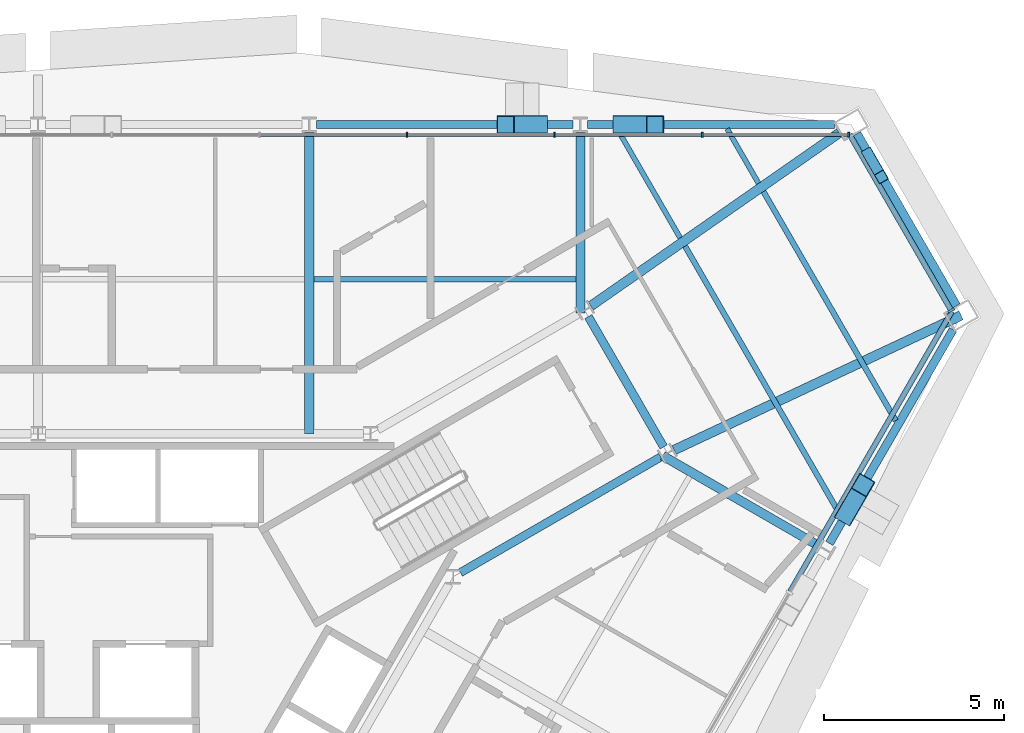
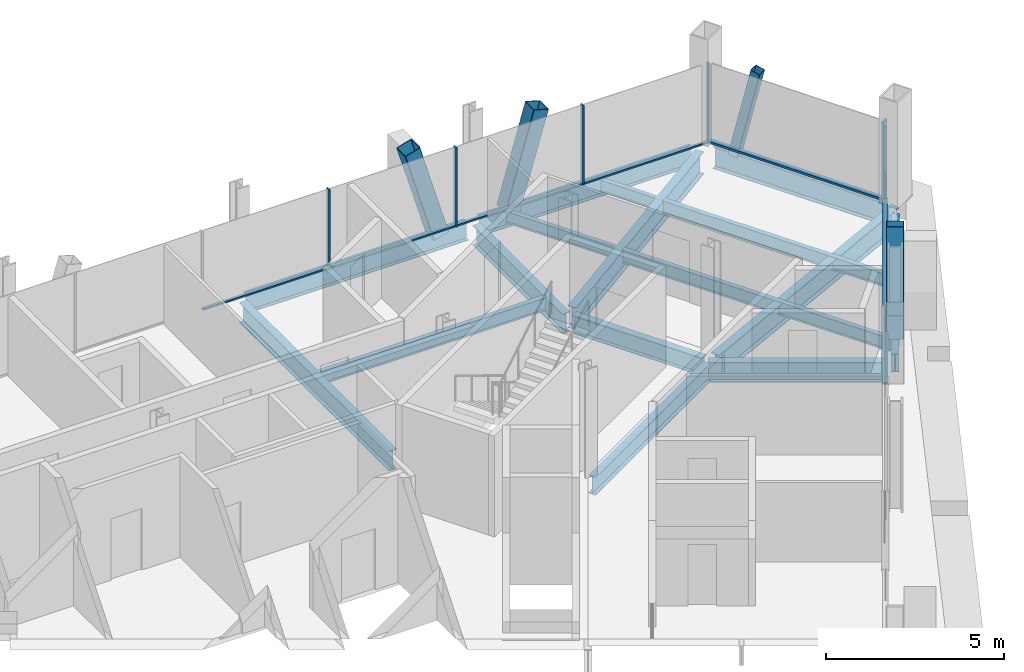
# One storey, part 7 of 13: 16 beams, 15 members, 3 elements without a shape of their own.
"""IFC4 building model written with IfcOpenShell, lengths in metres."""

import ifcopenshell
import ifcopenshell.guid

model = None  # the IFC model being written
_history = None  # IfcOwnerHistory: only IFC2X3 demands one
_inside = {}  # id of a spatial element -> (the spatial element, [elements in it])
_under = {}  # id of a project, library or spatial element -> (it, [spatial elements below it])
_declared = {}  # id of a project -> (the project, [libraries it declares])
_typed = {}  # id of a type object -> (the type object, [elements of that type])
_made_of = {}  # id of a material, layer set ... -> (it, [elements and type objects made of it])


def new_model(schema):
    """Start an empty IFC model of exactly this schema.

    Asked for "IFC4X3", IfcOpenShell would pick the latest addendum, in which some entities
    have other attributes; the version numbers below select the first issue.
    IFC2X3 requires an IfcOwnerHistory on every rooted entity: one is made here for all.
    """
    global model, _history
    if schema == "IFC4X3":
        model = ifcopenshell.file(schema_version=(4, 3, 0, 0))
    else:
        model = ifcopenshell.file(schema=schema)
    _inside.clear()
    _under.clear()
    _declared.clear()
    _typed.clear()
    _made_of.clear()
    _history = None
    if model.schema == "IFC2X3":
        org = make("IfcOrganization", Name="unknown")
        user = make(
            "IfcPersonAndOrganization",
            ThePerson=make("IfcPerson", FamilyName="unknown"),
            TheOrganization=org,
        )
        app = make(
            "IfcApplication",
            ApplicationDeveloper=org,
            Version="unknown",
            ApplicationFullName="unknown",
            ApplicationIdentifier="unknown",
        )
        _history = make(
            "IfcOwnerHistory",
            OwningUser=user,
            OwningApplication=app,
            ChangeAction="ADDED",
            CreationDate=0,
        )
    return model


def make(cls, **values):
    """One entity of the class cls with the attributes given. An attribute that is None is left unset."""
    return model.create_entity(
        cls, **{name: value for name, value in values.items() if value is not None}
    )


def rooted(cls, **values):
    """An entity with a GlobalId (a new one), such as an element, a storey or a relation."""
    return make(cls, GlobalId=ifcopenshell.guid.new(), OwnerHistory=_history, **values)


def si_unit(unit_type, name, prefix=None):
    """IfcSIUnit, for example si_unit("LENGTHUNIT", "METRE", prefix="MILLI")."""
    return make("IfcSIUnit", UnitType=unit_type, Prefix=prefix, Name=name)


def assignment(units):
    """IfcUnitAssignment: the units of a project."""
    return None if units is None else make("IfcUnitAssignment", Units=units)


def point(xyz):
    """IfcCartesianPoint."""
    return None if xyz is None else make("IfcCartesianPoint", Coordinates=xyz)


def direction(xyz):
    """IfcDirection."""
    return None if xyz is None else make("IfcDirection", DirectionRatios=xyz)


def frame(location, z_axis=None, x_axis=None):
    """IfcAxis2Placement3D, a coordinate frame: its origin and axes. An axis left out is left unset."""
    return make(
        "IfcAxis2Placement3D",
        Location=point(location),
        Axis=direction(z_axis),
        RefDirection=direction(x_axis),
    )


def frame_2d(location, x_axis=None):
    """IfcAxis2Placement2D, a coordinate frame in the plane: its origin and x axis."""
    return make(
        "IfcAxis2Placement2D", Location=point(location), RefDirection=direction(x_axis)
    )


def origin():
    """The frame at (0, 0, 0) with its axes left unset."""
    return frame((0.0, 0.0, 0.0))


def origin_2d():
    """The frame at (0, 0) in the plane with its x axis left unset."""
    return frame_2d((0.0, 0.0))


def place(relative_to, where):
    """IfcLocalPlacement: puts the frame where relative to a parent placement (None: the world)."""
    return make(
        "IfcLocalPlacement", PlacementRelTo=relative_to, RelativePlacement=where
    )


def context(
    kind, dimensions, precision=None, world=None, true_north=None, identifier=None
):
    """IfcGeometricRepresentationContext, for example the 3D "Model" context."""
    return make(
        "IfcGeometricRepresentationContext",
        ContextIdentifier=identifier,
        ContextType=kind,
        CoordinateSpaceDimension=dimensions,
        Precision=precision,
        WorldCoordinateSystem=world,
        TrueNorth=true_north,
    )


def subcontext(parent, identifier, kind, view, scale=None):
    """IfcGeometricRepresentationSubContext, for example "Body" below "Model"."""
    return make(
        "IfcGeometricRepresentationSubContext",
        ContextIdentifier=identifier,
        ContextType=kind,
        ParentContext=parent,
        TargetScale=scale,
        TargetView=view,
    )


def project(units=None, contexts=None):
    """IfcProject with its units and contexts."""
    return rooted(
        "IfcProject",
        Name="project",
        RepresentationContexts=contexts,
        UnitsInContext=assignment(units),
    )


def spatial(cls, under=None, at=None, **own):
    """A site, building, storey or space (cls), placed at a placement, below another one or the project."""
    s = rooted(cls, ObjectPlacement=at, **own)
    if under is not None:
        _under.setdefault(under.id(), (under, []))[1].append(s)
    return s


def profile(cls, at=None, kind="AREA", **sizes):
    """A parametric profile (cls). Its sizes go by their IFC names, for example OverallWidth=200.0."""
    return make(cls, ProfileType=kind, Position=at, **sizes)


def rectangle(**sizes):
    """IfcRectangleProfileDef."""
    return profile("IfcRectangleProfileDef", **sizes)


def hollow_rectangle(**sizes):
    """IfcRectangleHollowProfileDef."""
    return profile("IfcRectangleHollowProfileDef", **sizes)


def i_section(**sizes):
    """IfcIShapeProfileDef."""
    return profile("IfcIShapeProfileDef", **sizes)


def extrude(swept, where, along, depth):
    """IfcExtrudedAreaSolid: the profile swept, set in the frame where, extruded along a direction by depth."""
    return make(
        "IfcExtrudedAreaSolid",
        SweptArea=swept,
        Position=where,
        ExtrudedDirection=direction(along),
        Depth=depth,
    )


def shape(context_of_items, identifier, shape_type, items):
    """IfcShapeRepresentation: the items that make up one representation, for example the "Body"."""
    return make(
        "IfcShapeRepresentation",
        ContextOfItems=context_of_items,
        RepresentationIdentifier=identifier,
        RepresentationType=shape_type,
        Items=items,
    )


def material(Name=None, Category=None):
    """IfcMaterial."""
    return make("IfcMaterial", Name=Name, Category=Category)


def material_profile(
    of_material, cross_section, Name=None, Category=None, Priority=None
):
    """IfcMaterialProfile: a cross section and its material."""
    return make(
        "IfcMaterialProfile",
        Name=Name,
        Material=of_material,
        Profile=cross_section,
        Priority=Priority,
        Category=Category,
    )


def profile_set(profiles, Name=None, composite=None):
    """IfcMaterialProfileSet."""
    return make(
        "IfcMaterialProfileSet",
        Name=Name,
        MaterialProfiles=profiles,
        CompositeProfile=composite,
    )


def made_of(thing, what):
    """Note that an element or type object is made of a material, layer set ...; save() writes the relation."""
    if what is not None:
        _made_of.setdefault(what.id(), (what, []))[1].append(thing)
    return thing


def type_object(cls, material=None, **own):
    """A type object (cls), such as IfcWallType, which elements share."""
    return made_of(rooted(cls, **own), material)


def element(
    cls,
    number,
    at=None,
    inside=None,
    cuts=None,
    type_object=None,
    material=None,
    context=None,
    identifier="Body",
    shape_type=None,
    held_by="IfcProductDefinitionShape",
    body=None,
    shapes=None,
    **own,
):
    """One element of the class cls, such as IfcWall. Its Tag is "e" and its number.

    at: its placement. inside: the storey or other place that contains it. cuts: it is an
    opening in that element (IfcRelVoidsElement). A single representation is given by context,
    identifier, shape_type and body (its items); several are given by shapes. held_by: the class
    of the entity that holds the representations. save() writes the other relations.
    """
    e = rooted(cls, Tag="e%d" % number, ObjectPlacement=at, **own)
    if body is not None:
        shapes = [shape(context, identifier, shape_type, body)]
    if shapes is not None:
        e.Representation = make(held_by, Representations=shapes)
    if inside is not None:
        _inside.setdefault(inside.id(), (inside, []))[1].append(e)
    if cuts is not None:
        rooted(
            "IfcRelVoidsElement", RelatingBuildingElement=cuts, RelatedOpeningElement=e
        )
    if type_object is not None:
        _typed.setdefault(type_object.id(), (type_object, []))[1].append(e)
    return made_of(e, material)


def aggregate(whole, parts):
    """IfcRelAggregates: a whole, such as a stair, and the parts it consists of."""
    return rooted("IfcRelAggregates", RelatingObject=whole, RelatedObjects=parts)


def save(model, path):
    """Write the relations noted so far, then the file.

    IfcRelAggregates (storeys below a building ...), IfcRelContainedInSpatialStructure (elements
    in a storey), IfcRelDefinesByType, IfcRelAssociatesMaterial and IfcRelDeclares: one each for
    every whole, place, type object, material and project.
    """
    for whole, parts in _under.values():
        aggregate(whole, parts)
    for where, things in _inside.values():
        rooted(
            "IfcRelContainedInSpatialStructure",
            RelatedElements=things,
            RelatingStructure=where,
        )
    for kind, things in _typed.values():
        rooted("IfcRelDefinesByType", RelatedObjects=things, RelatingType=kind)
    for what, things in _made_of.values():
        rooted("IfcRelAssociatesMaterial", RelatedObjects=things, RelatingMaterial=what)
    for by, libraries in _declared.values():
        rooted("IfcRelDeclares", RelatingContext=by, RelatedDefinitions=libraries)
    model.write(path)


model = new_model("IFC4")

# Units and contexts
model_context = context("Model", 3, precision=1e-05, world=origin(), true_north=direction((0.0, 1.0)))
body_context = subcontext(model_context, "Body", "Model", "MODEL_VIEW")
ifc_project = project(units=[si_unit("LENGTHUNIT", "METRE"), si_unit("AREAUNIT", "SQUARE_METRE"), si_unit("VOLUMEUNIT", "CUBIC_METRE"), si_unit("PLANEANGLEUNIT", "RADIAN"), si_unit("MASSUNIT", "GRAM", prefix="KILO")], contexts=[model_context])

# Site, building, storey
site_placement = place(None, origin())
site = spatial("IfcSite", under=ifc_project, at=site_placement, CompositionType="ELEMENT")
building_placement = place(site_placement, origin())
building = spatial("IfcBuilding", under=site, at=building_placement, Name="Verrane Prism Tower", CompositionType="ELEMENT")
storey_placement = place(building_placement, frame((0.0, 0.0, 152.5)))
storey = spatial("IfcBuildingStorey", under=building, at=storey_placement, Name="L37", CompositionType="ELEMENT", Elevation=152.5)

# Member
ifc_material_1 = material(Name="Steel A500 Grade C", Category="steel")
ifc_material_profile_1 = material_profile(ifc_material_1, hollow_rectangle(XDim=0.3046875, YDim=0.3046875, WallThickness=0.0126953125, InnerFilletRadius=0.00634765625, OuterFilletRadius=0.01904296875, at=origin_2d()), Name="HSS12x12x1/2")
ifc_profile_set_1 = profile_set([ifc_material_profile_1], Name="Steel A500 Grade C")
member_type_1 = type_object("IfcMemberType", Name="Chamfer brace HSS12x12x1/2", PredefinedType="BRACE", material=ifc_profile_set_1)
member_1_placement = place(storey_placement, frame((23.113525390625, 15.790771484375, -0.24267578125), z_axis=(0.115415041023, -0.199492223225, 0.973078733288), x_axis=(0.865577616454, 0.500774789596, 0.0)))
element("IfcMember", 1, at=member_1_placement, inside=storey, type_object=member_type_1, Name="Chamfer brace NE0 L37", PredefinedType="BRACE", context=body_context, shape_type="SweptSolid", body=[
    extrude(hollow_rectangle(XDim=0.3046875, YDim=0.3046875, WallThickness=0.0126953125, InnerFilletRadius=0.00634765625, OuterFilletRadius=0.01904296875, at=origin_2d()), origin(), (0.0, 0.0, 1.0), 3.194091796875),
])

# Beams
ifc_material_2 = material(Name="Steel A992", Category="steel")
ifc_material_profile_2 = material_profile(ifc_material_2, i_section(OverallWidth=0.2666015625, OverallDepth=0.7568359375, WebThickness=0.013916015625, FlangeThickness=0.019287109375, FilletRadius=0.0166015625, at=origin_2d()), Name="W30x108")
ifc_profile_set_2 = profile_set([ifc_material_profile_2], Name="Steel A992")
beam_type_1 = type_object("IfcBeamType", Name="Chamfer spandrel beam W30x108", PredefinedType="SPANDREL", material=ifc_profile_set_2)
beam_1_placement = place(storey_placement, frame((25.559814453125, 11.559814453125, -0.53857421875), z_axis=(-0.50050398262, 0.865734233689, 0.0), x_axis=(-0.865734233689, -0.50050398262, 0.0)))
element("IfcBeam", 2, at=beam_1_placement, inside=storey, type_object=beam_type_1, Name="Chamfer spandrel beam L37", PredefinedType="SPANDREL", context=body_context, shape_type="SweptSolid", body=[
    extrude(i_section(OverallWidth=0.2666015625, OverallDepth=0.7568359375, WebThickness=0.013916015625, FlangeThickness=0.019287109375, FilletRadius=0.0166015625, at=origin_2d()), origin(), (0.0, 0.0, 1.0), 5.533447265625),
])
ifc_material_3 = material(Name="Steel A992", Category="steel")
ifc_material_profile_3 = material_profile(ifc_material_3, i_section(OverallWidth=0.23046875, OverallDepth=0.6171875, WebThickness=0.01318359375, FlangeThickness=0.022216796875, FilletRadius=0.012939453125, at=origin_2d()), Name="W24x94")
ifc_profile_set_3 = profile_set([ifc_material_profile_3], Name="Steel A992")
beam_type_2 = type_object("IfcBeamType", Name="Core ring girder W24x94", PredefinedType="BEAM", material=ifc_profile_set_3)
beam_2_placement = place(storey_placement, frame((11.7607421875, 4.1357421875, -0.55859375), z_axis=(0.866075143088, 0.499913839102, 0.0), x_axis=(-0.499913839102, 0.866075143088, 0.0)))
element("IfcBeam", 3, at=beam_2_placement, inside=storey, type_object=beam_type_2, Name="Core ring girder L37", PredefinedType="BEAM", context=body_context, shape_type="SweptSolid", body=[
    extrude(i_section(OverallWidth=0.23046875, OverallDepth=0.6171875, WebThickness=0.01318359375, FlangeThickness=0.022216796875, FilletRadius=0.012939453125, at=origin_2d()), origin(), (0.0, 0.0, 1.0), 6.441650390625),
])
beam_3_placement = place(storey_placement, frame((17.418212890625, 7.635986328125, -0.55859375), z_axis=(-0.500305747711, 0.865848808284, 0.0), x_axis=(-0.865848808284, -0.500305747711, 0.0)))
element("IfcBeam", 4, at=beam_3_placement, inside=storey, type_object=beam_type_2, Name="Core ring girder L37", PredefinedType="BEAM", context=body_context, shape_type="SweptSolid", body=[
    extrude(i_section(OverallWidth=0.23046875, OverallDepth=0.6171875, WebThickness=0.01318359375, FlangeThickness=0.022216796875, FilletRadius=0.012939453125, at=origin_2d()), origin(), (0.0, 0.0, 1.0), 4.1904296875),
])
ifc_material_4 = material(Name="Steel A992", Category="steel")
ifc_material_profile_4 = material_profile(ifc_material_4, i_section(OverallWidth=0.2666015625, OverallDepth=0.76708984375, WebThickness=0.014892578125, FlangeThickness=0.023681640625, FilletRadius=0.0166015625, at=origin_2d()), Name="W30x124")
ifc_profile_set_4 = profile_set([ifc_material_profile_4], Name="Steel A992")
beam_type_3 = type_object("IfcBeamType", Name="Corner girder W30x124", PredefinedType="BEAM", material=ifc_profile_set_4)
beam_4_placement = place(storey_placement, frame((25.702392578125, 11.29638671875, -0.603515625), z_axis=(-0.905415091001, -0.424527399571, 0.0), x_axis=(0.424527399571, -0.905415091001, 0.0)))
element("IfcBeam", 5, at=beam_4_placement, inside=storey, type_object=beam_type_3, Name="Corner girder L37", PredefinedType="BEAM", context=body_context, shape_type="SweptSolid", body=[
    extrude(i_section(OverallWidth=0.2666015625, OverallDepth=0.76708984375, WebThickness=0.014892578125, FlangeThickness=0.023681640625, FilletRadius=0.0166015625, at=origin_2d()), origin(), (0.0, 0.0, 1.0), 8.828125),
])
beam_5_placement = place(storey_placement, frame((22.310546875, 16.380615234375, -0.603515625), z_axis=(-0.820467710787, -0.571692868204, 0.0), x_axis=(0.571692868204, -0.820467710787, 0.0)))
element("IfcBeam", 6, at=beam_5_placement, inside=storey, type_object=beam_type_3, Name="Corner girder L37", PredefinedType="BEAM", context=body_context, shape_type="SweptSolid", body=[
    extrude(i_section(OverallWidth=0.2666015625, OverallDepth=0.76708984375, WebThickness=0.014892578125, FlangeThickness=0.023681640625, FilletRadius=0.0166015625, at=origin_2d()), origin(), (0.0, 0.0, 1.0), 8.432861328125),
])

# Members
ifc_material_5 = material(Name="Steel A500 Grade C", Category="steel")
ifc_material_profile_5 = material_profile(ifc_material_5, hollow_rectangle(XDim=0.508056640625, YDim=0.508056640625, WallThickness=0.01904296875, InnerFilletRadius=0.009521484375, OuterFilletRadius=0.028564453125, at=origin_2d()), Name="HSS20x20x3/4")
ifc_profile_set_5 = profile_set([ifc_material_profile_5], Name="Steel A500 Grade C")
member_type_2 = type_object("IfcMemberType", Name="Facade brace HSS20x20x3/4", PredefinedType="BRACE", material=ifc_profile_set_5)
member_2_placement = place(storey_placement, frame((16.25048828125, 16.610107421875, -0.216796875), z_axis=(0.279493045213, 0.0, 0.960147716592), x_axis=(0.0, 1.0, 0.0)))
element("IfcMember", 7, at=member_2_placement, inside=storey, type_object=member_type_2, Name="Facade brace N0 L37", PredefinedType="BRACE", context=body_context, shape_type="SweptSolid", body=[
    extrude(hollow_rectangle(XDim=0.508056640625, YDim=0.508056640625, WallThickness=0.01904296875, InnerFilletRadius=0.009521484375, OuterFilletRadius=0.028564453125, at=origin_2d()), origin(), (0.0, 0.0, 1.0), 3.328857421875),
])
member_3_placement = place(storey_placement, frame((13.947998046875, 16.610107421875, -0.216796875), z_axis=(-0.279831041073, 0.0, 0.960049263555), x_axis=(0.0, -1.0, 0.0)))
element("IfcMember", 8, at=member_3_placement, inside=storey, type_object=member_type_2, Name="Facade brace N1 L37", PredefinedType="BRACE", context=body_context, shape_type="SweptSolid", body=[
    extrude(hollow_rectangle(XDim=0.508056640625, YDim=0.508056640625, WallThickness=0.01904296875, InnerFilletRadius=0.009521484375, OuterFilletRadius=0.028564453125, at=origin_2d()), origin(), (0.0, 0.0, 1.0), 3.329345703125),
])
member_4_placement = place(storey_placement, frame((22.5068359375, 5.766357421875, -0.216796875), z_axis=(0.140068643314, 0.242076749518, 0.960093548829), x_axis=(-0.865551922742, 0.500819197952, 0.0)))
element("IfcMember", 9, at=member_4_placement, inside=storey, type_object=member_type_2, Name="Facade brace SE5 L37", PredefinedType="BRACE", context=body_context, shape_type="SweptSolid", body=[
    extrude(hollow_rectangle(XDim=0.508056640625, YDim=0.508056640625, WallThickness=0.01904296875, InnerFilletRadius=0.009521484375, OuterFilletRadius=0.028564453125, at=origin_2d()), origin(), (0.0, 0.0, 1.0), 3.3291015625),
])

# Beams
ifc_material_6 = material(Name="Steel A992", Category="steel")
ifc_material_profile_6 = material_profile(ifc_material_6, i_section(OverallWidth=0.140380859375, OverallDepth=0.40380859375, WebThickness=0.007080078125, FlangeThickness=0.01123046875, FilletRadius=0.01025390625, at=origin_2d()), Name="W16x31")
ifc_profile_set_6 = profile_set([ifc_material_profile_6], Name="Steel A992")
beam_type_4 = type_object("IfcBeamType", Name="Floor beam W16x31", PredefinedType="BEAM", material=ifc_profile_set_6)
beam_6_placement = place(storey_placement, frame((20.0615234375, 14.97607421875, -0.36181640625), z_axis=(-0.499971461383, 0.866041879935, 0.0), x_axis=(-0.866041879935, -0.499971461383, 0.0)))
element("IfcBeam", 10, at=beam_6_placement, inside=storey, type_object=beam_type_4, Name="Floor beam L37", PredefinedType="BEAM", context=body_context, shape_type="SweptSolid", body=[
    extrude(i_section(OverallWidth=0.140380859375, OverallDepth=0.40380859375, WebThickness=0.007080078125, FlangeThickness=0.01123046875, FilletRadius=0.01025390625, at=origin_2d()), origin(), (0.0, 0.0, 1.0), 1.75390625),
])
beam_7_placement = place(storey_placement, frame((17.87939453125, 13.455810546875, -0.36181640625), z_axis=(-0.499977381828, 0.866038461998, 0.0), x_axis=(-0.866038461998, -0.499977381828, 0.0)))
element("IfcBeam", 11, at=beam_7_placement, inside=storey, type_object=beam_type_4, Name="Floor beam L37", PredefinedType="BEAM", context=body_context, shape_type="SweptSolid", body=[
    extrude(i_section(OverallWidth=0.140380859375, OverallDepth=0.40380859375, WebThickness=0.007080078125, FlangeThickness=0.01123046875, FilletRadius=0.01025390625, at=origin_2d()), origin(), (0.0, 0.0, 1.0), 3.509521484375),
])
ifc_material_7 = material(Name="Steel A992", Category="steel")
ifc_material_profile_7 = material_profile(ifc_material_7, i_section(OverallWidth=0.15234375, OverallDepth=0.449462890625, WebThickness=0.007568359375, FlangeThickness=0.0107421875, FilletRadius=0.01025390625, at=origin_2d()), Name="W18x35")
ifc_profile_set_7 = profile_set([ifc_material_profile_7], Name="Steel A992")
beam_type_5 = type_object("IfcBeamType", Name="Floor beam W18x35", PredefinedType="BEAM", material=ifc_profile_set_7)
beam_8_placement = place(storey_placement, frame((7.677001953125, 12.304931640625, -0.384765625), z_axis=(1.0, 0.0, 0.0), x_axis=(0.0, 1.0, 0.0)))
element("IfcBeam", 12, at=beam_8_placement, inside=storey, type_object=beam_type_5, Name="Floor beam L37", PredefinedType="BEAM", context=body_context, shape_type="SweptSolid", body=[
    extrude(i_section(OverallWidth=0.15234375, OverallDepth=0.449462890625, WebThickness=0.007568359375, FlangeThickness=0.0107421875, FilletRadius=0.01025390625, at=origin_2d()), origin(), (0.0, 0.0, 1.0), 7.2958984375),
])
beam_9_placement = place(storey_placement, frame((23.880126953125, 8.368408203125, -0.384765625), z_axis=(-0.500011344903, 0.866018853703, 0.0), x_axis=(-0.866018853703, -0.500011344903, 0.0)))
element("IfcBeam", 13, at=beam_9_placement, inside=storey, type_object=beam_type_5, Name="Floor beam L37", PredefinedType="BEAM", context=body_context, shape_type="SweptSolid", body=[
    extrude(i_section(OverallWidth=0.15234375, OverallDepth=0.449462890625, WebThickness=0.007568359375, FlangeThickness=0.0107421875, FilletRadius=0.01025390625, at=origin_2d()), origin(), (0.0, 0.0, 1.0), 7.364013671875),
])
beam_10_placement = place(storey_placement, frame((22.347900390625, 5.72119140625, -0.384765625), z_axis=(-0.500011878817, 0.866018545437, 0.0), x_axis=(-0.866018545437, -0.500011878817, 0.0)))
element("IfcBeam", 14, at=beam_10_placement, inside=storey, type_object=beam_type_5, Name="Floor beam L37", PredefinedType="BEAM", context=body_context, shape_type="SweptSolid", body=[
    extrude(i_section(OverallWidth=0.15234375, OverallDepth=0.449462890625, WebThickness=0.007568359375, FlangeThickness=0.0107421875, FilletRadius=0.01025390625, at=origin_2d()), origin(), (0.0, 0.0, 1.0), 8.664794921875),
])

# Curtain wall, members
ifc_material_8 = material(Name="Aluminium framed insulated glazing", Category="aluminium")
curtain_wall_type_1 = type_object("IfcCurtainWallType", Name="Curtain wall CW-C 4200 module", PredefinedType="NOTDEFINED", material=ifc_material_8)
curtain_wall_1_placement = place(storey_placement, origin())
curtain_wall_1 = element("IfcCurtainWall", 15, at=curtain_wall_1_placement, inside=storey, type_object=curtain_wall_type_1, Name="Glazed curtain wall north face L37", PredefinedType="NOTDEFINED")
ifc_material_9 = material(Name="Aluminium alloy 6063-T6", Category="aluminium")
ifc_material_profile_8 = material_profile(ifc_material_9, rectangle(XDim=0.139892578125, YDim=0.050048828125, at=origin_2d()), Name="Mullion 50x140 aluminium")
ifc_profile_set_8 = profile_set([ifc_material_profile_8], Name="Aluminium alloy 6063-T6")
member_type_3 = type_object("IfcMemberType", Name="Mullion 50x140 aluminium", PredefinedType="MULLION", material=ifc_profile_set_8)
member_5_placement = place(storey_placement, frame((22.57470703125, 16.3310546875, 0.0), z_axis=(0.0, 0.0, 1.0), x_axis=(0.0, -1.0, 0.0)))
member_5 = element("IfcMember", 16, at=member_5_placement, type_object=member_type_3, Name="CW36.2 mullion 1", PredefinedType="MULLION", context=body_context, shape_type="SweptSolid", body=[
    extrude(rectangle(XDim=0.139892578125, YDim=0.050048828125, at=origin_2d()), origin(), (0.0, 0.0, 1.0), 2.712890625),
])
member_6_placement = place(storey_placement, frame((18.490478515625, 16.3310546875, 0.0), z_axis=(0.0, 0.0, 1.0), x_axis=(0.0, -1.0, 0.0)))
member_6 = element("IfcMember", 17, at=member_6_placement, type_object=member_type_3, Name="CW36.2 mullion 2", PredefinedType="MULLION", context=body_context, shape_type="SweptSolid", body=[
    extrude(rectangle(XDim=0.139892578125, YDim=0.050048828125, at=origin_2d()), origin(), (0.0, 0.0, 1.0), 2.712890625),
])
member_7_placement = place(storey_placement, frame((14.381591796875, 16.3310546875, 0.0), z_axis=(0.0, 0.0, 1.0), x_axis=(0.0, -1.0, 0.0)))
member_7 = element("IfcMember", 18, at=member_7_placement, type_object=member_type_3, Name="CW36.2 mullion 3", PredefinedType="MULLION", context=body_context, shape_type="SweptSolid", body=[
    extrude(rectangle(XDim=0.139892578125, YDim=0.050048828125, at=origin_2d()), origin(), (0.0, 0.0, 1.0), 2.712890625),
])
member_8_placement = place(storey_placement, frame((10.2724609375, 16.3310546875, 0.0), z_axis=(0.0, 0.0, 1.0), x_axis=(0.0, -1.0, 0.0)))
member_8 = element("IfcMember", 19, at=member_8_placement, type_object=member_type_3, Name="CW36.2 mullion 4", PredefinedType="MULLION", context=body_context, shape_type="SweptSolid", body=[
    extrude(rectangle(XDim=0.139892578125, YDim=0.050048828125, at=origin_2d()), origin(), (0.0, 0.0, 1.0), 2.712890625),
])

# Curtain wall, member
ifc_material_10 = material(Name="Aluminium framed insulated glazing", Category="aluminium")
curtain_wall_type_2 = type_object("IfcCurtainWallType", Name="Curtain wall CW-A 8400 module", PredefinedType="NOTDEFINED", material=ifc_material_10)
curtain_wall_2_placement = place(storey_placement, origin())
curtain_wall_2 = element("IfcCurtainWall", 20, at=curtain_wall_2_placement, inside=storey, type_object=curtain_wall_type_2, Name="Glazed curtain wall north-east corner L37", PredefinedType="NOTDEFINED")
ifc_material_11 = material(Name="Aluminium alloy 6063-T6", Category="aluminium")
ifc_material_profile_9 = material_profile(ifc_material_11, rectangle(XDim=0.199951171875, YDim=0.070068359375, at=origin_2d()), Name="Mullion 70x200 aluminium")
ifc_profile_set_9 = profile_set([ifc_material_profile_9], Name="Aluminium alloy 6063-T6")
member_type_4 = type_object("IfcMemberType", Name="Mullion 70x200 aluminium", PredefinedType="MULLION", material=ifc_profile_set_9)
member_9_placement = place(storey_placement, frame((25.42529296875, 11.4365234375, 0.0), z_axis=(0.0, 0.0, 1.0), x_axis=(-0.866023642559, -0.50000305052, 0.0)))
member_9 = element("IfcMember", 21, at=member_9_placement, type_object=member_type_4, Name="CW36.1 mullion 1", PredefinedType="MULLION", context=body_context, shape_type="SweptSolid", body=[
    extrude(rectangle(XDim=0.199951171875, YDim=0.070068359375, at=origin_2d()), origin(), (0.0, 0.0, 1.0), 2.712890625),
])

# Beams
ifc_material_12 = material(Name="Steel A992", Category="steel")
ifc_material_profile_10 = material_profile(ifc_material_12, i_section(OverallWidth=0.25390625, OverallDepth=0.683349609375, WebThickness=0.012451171875, FlangeThickness=0.01904296875, FilletRadius=0.01513671875, at=origin_2d()), Name="W27x94")
ifc_profile_set_10 = profile_set([ifc_material_profile_10], Name="Steel A992")
beam_type_6 = type_object("IfcBeamType", Name="Radial girder W27x94", PredefinedType="BEAM", material=ifc_profile_set_10)
beam_11_placement = place(storey_placement, frame((15.10009765625, 16.392822265625, -0.5615234375), z_axis=(0.0, -1.0, 0.0), x_axis=(1.0, 0.0, 0.0)))
element("IfcBeam", 22, at=beam_11_placement, inside=storey, type_object=beam_type_6, Name="Radial girder L37", PredefinedType="BEAM", context=body_context, shape_type="SweptSolid", body=[
    extrude(i_section(OverallWidth=0.25390625, OverallDepth=0.683349609375, WebThickness=0.012451171875, FlangeThickness=0.01904296875, FilletRadius=0.01513671875, at=origin_2d()), origin(), (0.0, 0.0, 1.0), 5.022216796875),
])
beam_12_placement = place(storey_placement, frame((7.550048828125, 16.392822265625, -0.5615234375), z_axis=(0.0, -1.0, 0.0), x_axis=(1.0, 0.0, 0.0)))
element("IfcBeam", 23, at=beam_12_placement, inside=storey, type_object=beam_type_6, Name="Radial girder L37", PredefinedType="BEAM", context=body_context, shape_type="SweptSolid", body=[
    extrude(i_section(OverallWidth=0.25390625, OverallDepth=0.683349609375, WebThickness=0.012451171875, FlangeThickness=0.01904296875, FilletRadius=0.01513671875, at=origin_2d()), origin(), (0.0, 0.0, 1.0), 8.392822265625),
])
beam_13_placement = place(storey_placement, frame((21.741943359375, 4.878662109375, -0.5615234375), z_axis=(-0.866016279763, 0.500015802937, 0.0), x_axis=(-0.500015802937, -0.866016279763, 0.0)))
element("IfcBeam", 24, at=beam_13_placement, inside=storey, type_object=beam_type_6, Name="Radial girder L37", PredefinedType="BEAM", context=body_context, shape_type="SweptSolid", body=[
    extrude(i_section(OverallWidth=0.25390625, OverallDepth=0.683349609375, WebThickness=0.012451171875, FlangeThickness=0.01904296875, FilletRadius=0.01513671875, at=origin_2d()), origin(), (0.0, 0.0, 1.0), 5.018798828125),
])
ifc_material_13 = material(Name="Steel A992", Category="steel")
ifc_material_profile_11 = material_profile(ifc_material_13, i_section(OverallWidth=0.23046875, OverallDepth=0.6171875, WebThickness=0.01318359375, FlangeThickness=0.022216796875, FilletRadius=0.012939453125, at=origin_2d()), Name="W24x94")
ifc_profile_set_11 = profile_set([ifc_material_profile_11], Name="Steel A992")
beam_type_7 = type_object("IfcBeamType", Name="Spandrel beam W24x94", PredefinedType="SPANDREL", material=ifc_profile_set_11)
beam_14_placement = place(storey_placement, frame((22.177978515625, 16.610107421875, -0.468505859375), z_axis=(-1.0, 0.0, 0.0), x_axis=(0.0, -1.0, 0.0)))
element("IfcBeam", 25, at=beam_14_placement, inside=storey, type_object=beam_type_7, Name="Spandrel beam L37", PredefinedType="SPANDREL", context=body_context, shape_type="SweptSolid", body=[
    extrude(i_section(OverallWidth=0.23046875, OverallDepth=0.6171875, WebThickness=0.01318359375, FlangeThickness=0.022216796875, FilletRadius=0.012939453125, at=origin_2d()), origin(), (0.0, 0.0, 1.0), 6.872314453125),
])
beam_15_placement = place(storey_placement, frame((14.894287109375, 16.610107421875, -0.468505859375), z_axis=(-1.0, 0.0, 0.0), x_axis=(0.0, -1.0, 0.0)))
element("IfcBeam", 26, at=beam_15_placement, inside=storey, type_object=beam_type_7, Name="Spandrel beam L37", PredefinedType="SPANDREL", context=body_context, shape_type="SweptSolid", body=[
    extrude(i_section(OverallWidth=0.23046875, OverallDepth=0.6171875, WebThickness=0.01318359375, FlangeThickness=0.022216796875, FilletRadius=0.012939453125, at=origin_2d()), origin(), (0.0, 0.0, 1.0), 7.138671875),
])
beam_16_placement = place(storey_placement, frame((22.033203125, 4.947998046875, -0.468505859375), z_axis=(0.500974701182, 0.865461927976, 0.0), x_axis=(-0.865461927976, 0.500974701182, 0.0)))
element("IfcBeam", 27, at=beam_16_placement, inside=storey, type_object=beam_type_7, Name="Spandrel beam L37", PredefinedType="SPANDREL", context=body_context, shape_type="SweptSolid", body=[
    extrude(i_section(OverallWidth=0.23046875, OverallDepth=0.6171875, WebThickness=0.01318359375, FlangeThickness=0.022216796875, FilletRadius=0.012939453125, at=origin_2d()), origin(), (0.0, 0.0, 1.0), 6.877685546875),
])

# Member
ifc_material_14 = material(Name="Aluminium alloy 6063-T6", Category="aluminium")
ifc_material_profile_12 = material_profile(ifc_material_14, rectangle(XDim=0.10009765625, YDim=0.050048828125, at=origin_2d()), Name="Transom 50x100 aluminium")
ifc_profile_set_12 = profile_set([ifc_material_profile_12], Name="Aluminium alloy 6063-T6")
member_type_5 = type_object("IfcMemberType", Name="Transom 50x100 aluminium", PredefinedType="USERDEFINED", material=ifc_profile_set_12)
member_10_placement = place(storey_placement, frame((22.549560546875, 16.3310546875, 0.02490234375), z_axis=(-1.0, 0.0, 0.0), x_axis=(0.0, -1.0, 0.0)))
member_10 = element("IfcMember", 28, at=member_10_placement, type_object=member_type_5, Name="CW36.2 transom 1", ObjectType="TRANSOM", PredefinedType="USERDEFINED", context=body_context, shape_type="SweptSolid", body=[
    extrude(rectangle(XDim=0.10009765625, YDim=0.050048828125, at=origin_2d()), origin(), (0.0, 0.0, 1.0), 4.033935546875),
])

member_11_placement = place(storey_placement, frame((18.465576171875, 16.3310546875, 0.02490234375), z_axis=(-1.0, 0.0, 0.0), x_axis=(0.0, -1.0, 0.0)))
member_11 = element("IfcMember", 29, at=member_11_placement, type_object=member_type_5, Name="CW36.2 transom 2", ObjectType="TRANSOM", PredefinedType="USERDEFINED", context=body_context, shape_type="SweptSolid", body=[
    extrude(rectangle(XDim=0.10009765625, YDim=0.050048828125, at=origin_2d()), origin(), (0.0, 0.0, 1.0), 4.05908203125),
])

member_12_placement = place(storey_placement, frame((14.3564453125, 16.3310546875, 0.02490234375), z_axis=(-1.0, 0.0, 0.0), x_axis=(0.0, -1.0, 0.0)))
member_12 = element("IfcMember", 30, at=member_12_placement, type_object=member_type_5, Name="CW36.2 transom 3", ObjectType="TRANSOM", PredefinedType="USERDEFINED", context=body_context, shape_type="SweptSolid", body=[
    extrude(rectangle(XDim=0.10009765625, YDim=0.050048828125, at=origin_2d()), origin(), (0.0, 0.0, 1.0), 4.058837890625),
])

member_13_placement = place(storey_placement, frame((10.24755859375, 16.3310546875, 0.02490234375), z_axis=(-1.0, 0.0, 0.0), x_axis=(0.0, -1.0, 0.0)))
member_13 = element("IfcMember", 31, at=member_13_placement, type_object=member_type_5, Name="CW36.2 transom 4", ObjectType="TRANSOM", PredefinedType="USERDEFINED", context=body_context, shape_type="SweptSolid", body=[
    extrude(rectangle(XDim=0.10009765625, YDim=0.050048828125, at=origin_2d()), origin(), (0.0, 0.0, 1.0), 4.05908203125),
])

aggregate(curtain_wall_1, [member_5, member_6, member_7, member_8, member_10, member_11, member_12, member_13])

ifc_material_15 = material(Name="Aluminium alloy 6063-T6", Category="aluminium")
ifc_material_profile_13 = material_profile(ifc_material_15, rectangle(XDim=0.14990234375, YDim=0.070068359375, at=origin_2d()), Name="Transom 70x150 aluminium")
ifc_profile_set_13 = profile_set([ifc_material_profile_13], Name="Aluminium alloy 6063-T6")
member_type_6 = type_object("IfcMemberType", Name="Transom 70x150 aluminium", PredefinedType="USERDEFINED", material=ifc_profile_set_13)
member_14_placement = place(storey_placement, frame((25.407958984375, 11.467041015625, 0.034912109375), z_axis=(-0.50001468958, 0.866016922585, 0.0), x_axis=(-0.866016922585, -0.50001468958, 0.0)))
member_14 = element("IfcMember", 32, at=member_14_placement, type_object=member_type_6, Name="CW36.1 transom 1", ObjectType="TRANSOM", PredefinedType="USERDEFINED", context=body_context, shape_type="SweptSolid", body=[
    extrude(rectangle(XDim=0.14990234375, YDim=0.070068359375, at=origin_2d()), origin(), (0.0, 0.0, 1.0), 5.616455078125),
])

aggregate(curtain_wall_2, [member_9, member_14])

# Curtain wall, member
curtain_wall_3_placement = place(storey_placement, origin())
curtain_wall_3 = element("IfcCurtainWall", 33, at=curtain_wall_3_placement, inside=storey, type_object=curtain_wall_type_2, Name="Glazed curtain wall south-east face L37", PredefinedType="NOTDEFINED")
member_15_placement = place(storey_placement, frame((20.9404296875, 3.60791015625, 0.034912109375), z_axis=(0.500005646842, 0.866022143554, 0.0), x_axis=(-0.866022143554, 0.500005646842, 0.0)))
member_15 = element("IfcMember", 34, at=member_15_placement, type_object=member_type_6, Name="CW36.6 transom 5", ObjectType="TRANSOM", PredefinedType="USERDEFINED", context=body_context, shape_type="SweptSolid", body=[
    extrude(rectangle(XDim=0.14990234375, YDim=0.070068359375, at=origin_2d()), origin(), (0.0, 0.0, 1.0), 9.0048828125),
])
aggregate(curtain_wall_3, [member_15])

save(model, "model.ifc")
